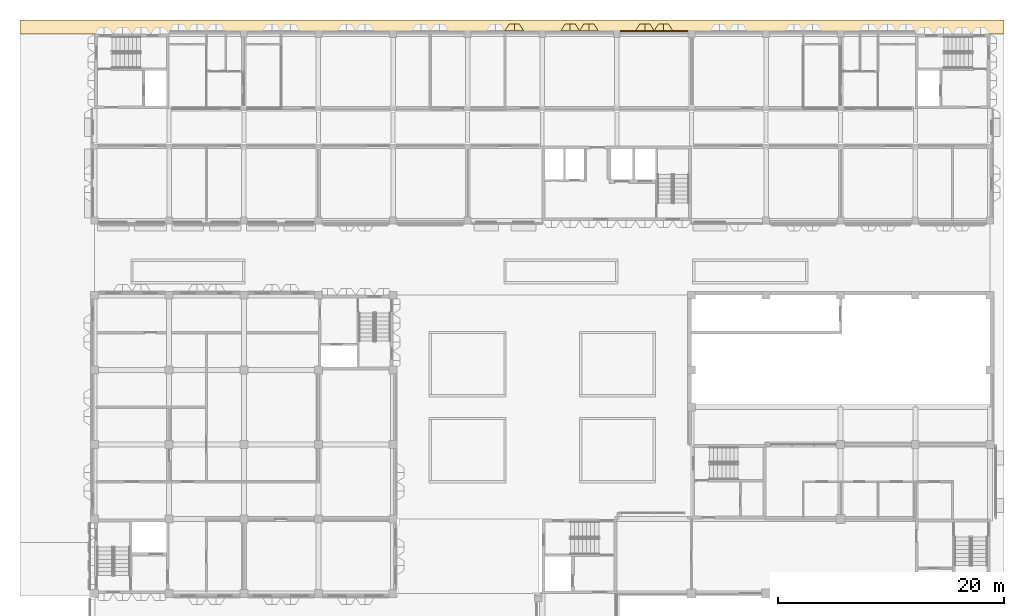
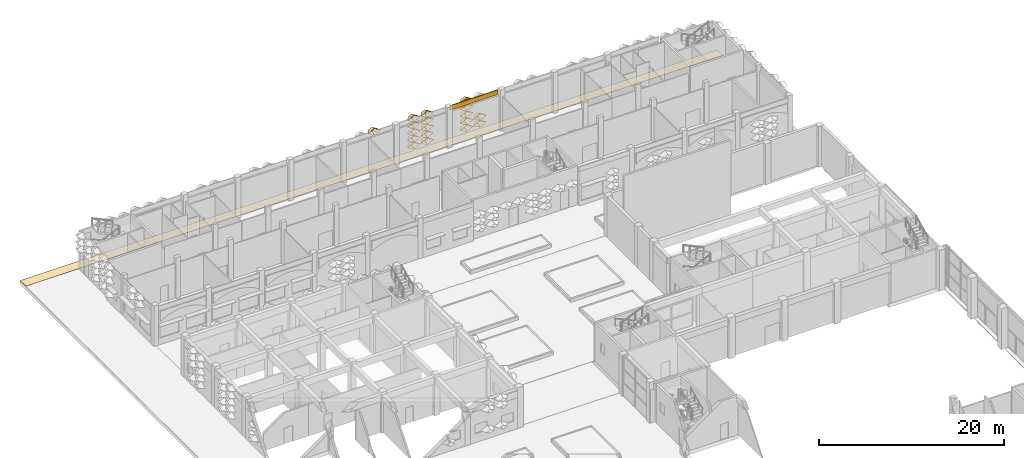
# One storey, part 78 of 85: 20 coverings.
"""IFC4 building model written with IfcOpenShell, lengths in metres."""

import ifcopenshell
import ifcopenshell.guid

model = None  # the IFC model being written
_history = None  # IfcOwnerHistory: only IFC2X3 demands one
_inside = {}  # id of a spatial element -> (the spatial element, [elements in it])
_under = {}  # id of a project, library or spatial element -> (it, [spatial elements below it])
_declared = {}  # id of a project -> (the project, [libraries it declares])
_typed = {}  # id of a type object -> (the type object, [elements of that type])
_made_of = {}  # id of a material, layer set ... -> (it, [elements and type objects made of it])


def new_model(schema):
    """Start an empty IFC model of exactly this schema.

    Asked for "IFC4X3", IfcOpenShell would pick the latest addendum, in which some entities
    have other attributes; the version numbers below select the first issue.
    IFC2X3 requires an IfcOwnerHistory on every rooted entity: one is made here for all.
    """
    global model, _history
    if schema == "IFC4X3":
        model = ifcopenshell.file(schema_version=(4, 3, 0, 0))
    else:
        model = ifcopenshell.file(schema=schema)
    _inside.clear()
    _under.clear()
    _declared.clear()
    _typed.clear()
    _made_of.clear()
    _history = None
    if model.schema == "IFC2X3":
        org = make("IfcOrganization", Name="unknown")
        user = make(
            "IfcPersonAndOrganization",
            ThePerson=make("IfcPerson", FamilyName="unknown"),
            TheOrganization=org,
        )
        app = make(
            "IfcApplication",
            ApplicationDeveloper=org,
            Version="unknown",
            ApplicationFullName="unknown",
            ApplicationIdentifier="unknown",
        )
        _history = make(
            "IfcOwnerHistory",
            OwningUser=user,
            OwningApplication=app,
            ChangeAction="ADDED",
            CreationDate=0,
        )
    return model


def make(cls, **values):
    """One entity of the class cls with the attributes given. An attribute that is None is left unset."""
    return model.create_entity(
        cls, **{name: value for name, value in values.items() if value is not None}
    )


def entity(cls, *values):
    """Any entity or typed value of the class cls, its attributes in the order of the schema. None: left unset."""
    e = model.create_entity(cls)
    for i, value in enumerate(values):
        if value is not None:
            e[i] = value
    return e


def rooted(cls, **values):
    """An entity with a GlobalId (a new one), such as an element, a storey or a relation."""
    return make(cls, GlobalId=ifcopenshell.guid.new(), OwnerHistory=_history, **values)


def si_unit(unit_type, name, prefix=None):
    """IfcSIUnit, for example si_unit("LENGTHUNIT", "METRE", prefix="MILLI")."""
    return make("IfcSIUnit", UnitType=unit_type, Prefix=prefix, Name=name)


def assignment(units):
    """IfcUnitAssignment: the units of a project."""
    return None if units is None else make("IfcUnitAssignment", Units=units)


def point(xyz):
    """IfcCartesianPoint."""
    return None if xyz is None else make("IfcCartesianPoint", Coordinates=xyz)


def direction(xyz):
    """IfcDirection."""
    return None if xyz is None else make("IfcDirection", DirectionRatios=xyz)


def frame(location, z_axis=None, x_axis=None):
    """IfcAxis2Placement3D, a coordinate frame: its origin and axes. An axis left out is left unset."""
    return make(
        "IfcAxis2Placement3D",
        Location=point(location),
        Axis=direction(z_axis),
        RefDirection=direction(x_axis),
    )


def frame_2d(location, x_axis=None):
    """IfcAxis2Placement2D, a coordinate frame in the plane: its origin and x axis."""
    return make(
        "IfcAxis2Placement2D", Location=point(location), RefDirection=direction(x_axis)
    )


def origin():
    """The frame at (0, 0, 0) with its axes left unset."""
    return frame((0.0, 0.0, 0.0))


def place(relative_to, where):
    """IfcLocalPlacement: puts the frame where relative to a parent placement (None: the world)."""
    return make(
        "IfcLocalPlacement", PlacementRelTo=relative_to, RelativePlacement=where
    )


def context(
    kind, dimensions, precision=None, world=None, true_north=None, identifier=None
):
    """IfcGeometricRepresentationContext, for example the 3D "Model" context."""
    return make(
        "IfcGeometricRepresentationContext",
        ContextIdentifier=identifier,
        ContextType=kind,
        CoordinateSpaceDimension=dimensions,
        Precision=precision,
        WorldCoordinateSystem=world,
        TrueNorth=true_north,
    )


def subcontext(parent, identifier, kind, view, scale=None):
    """IfcGeometricRepresentationSubContext, for example "Body" below "Model"."""
    return make(
        "IfcGeometricRepresentationSubContext",
        ContextIdentifier=identifier,
        ContextType=kind,
        ParentContext=parent,
        TargetScale=scale,
        TargetView=view,
    )


def project(units=None, contexts=None):
    """IfcProject with its units and contexts."""
    return rooted(
        "IfcProject",
        Name="project",
        RepresentationContexts=contexts,
        UnitsInContext=assignment(units),
    )


def spatial(cls, under=None, at=None, **own):
    """A site, building, storey or space (cls), placed at a placement, below another one or the project."""
    s = rooted(cls, ObjectPlacement=at, **own)
    if under is not None:
        _under.setdefault(under.id(), (under, []))[1].append(s)
    return s


def polyline(points):
    """IfcPolyline through the points."""
    return make("IfcPolyline", Points=[point(p) for p in points])


def profile(cls, at=None, kind="AREA", **sizes):
    """A parametric profile (cls). Its sizes go by their IFC names, for example OverallWidth=200.0."""
    return make(cls, ProfileType=kind, Position=at, **sizes)


def rectangle(**sizes):
    """IfcRectangleProfileDef."""
    return profile("IfcRectangleProfileDef", **sizes)


def outline(outer, holes=None, kind="AREA"):
    """IfcArbitraryClosedProfileDef: a profile drawn as a closed curve; with holes, ...WithVoids."""
    if holes is None:
        return make("IfcArbitraryClosedProfileDef", ProfileType=kind, OuterCurve=outer)
    return make(
        "IfcArbitraryProfileDefWithVoids",
        ProfileType=kind,
        OuterCurve=outer,
        InnerCurves=holes,
    )


def extrude(swept, where, along, depth):
    """IfcExtrudedAreaSolid: the profile swept, set in the frame where, extruded along a direction by depth."""
    return make(
        "IfcExtrudedAreaSolid",
        SweptArea=swept,
        Position=where,
        ExtrudedDirection=direction(along),
        Depth=depth,
    )


def shape(context_of_items, identifier, shape_type, items):
    """IfcShapeRepresentation: the items that make up one representation, for example the "Body"."""
    return make(
        "IfcShapeRepresentation",
        ContextOfItems=context_of_items,
        RepresentationIdentifier=identifier,
        RepresentationType=shape_type,
        Items=items,
    )


def material(Name=None, Category=None):
    """IfcMaterial."""
    return make("IfcMaterial", Name=Name, Category=Category)


def layer(
    of_material, thickness, ventilated=None, Name=None, Category=None, Priority=None
):
    """IfcMaterialLayer: one layer of a wall or slab, of a material (None: an air gap)."""
    return make(
        "IfcMaterialLayer",
        Material=of_material,
        LayerThickness=thickness,
        IsVentilated=ventilated,
        Name=Name,
        Category=Category,
        Priority=Priority,
    )


def layer_set(layers, Name=None):
    """IfcMaterialLayerSet."""
    return make("IfcMaterialLayerSet", MaterialLayers=layers, LayerSetName=Name)


def made_of(thing, what):
    """Note that an element or type object is made of a material, layer set ...; save() writes the relation."""
    if what is not None:
        _made_of.setdefault(what.id(), (what, []))[1].append(thing)
    return thing


def type_object(cls, material=None, **own):
    """A type object (cls), such as IfcWallType, which elements share."""
    return made_of(rooted(cls, **own), material)


def element(
    cls,
    number,
    at=None,
    inside=None,
    cuts=None,
    type_object=None,
    material=None,
    context=None,
    identifier="Body",
    shape_type=None,
    held_by="IfcProductDefinitionShape",
    body=None,
    shapes=None,
    **own,
):
    """One element of the class cls, such as IfcWall. Its Tag is "e" and its number.

    at: its placement. inside: the storey or other place that contains it. cuts: it is an
    opening in that element (IfcRelVoidsElement). A single representation is given by context,
    identifier, shape_type and body (its items); several are given by shapes. held_by: the class
    of the entity that holds the representations. save() writes the other relations.
    """
    e = rooted(cls, Tag="e%d" % number, ObjectPlacement=at, **own)
    if body is not None:
        shapes = [shape(context, identifier, shape_type, body)]
    if shapes is not None:
        e.Representation = make(held_by, Representations=shapes)
    if inside is not None:
        _inside.setdefault(inside.id(), (inside, []))[1].append(e)
    if cuts is not None:
        rooted(
            "IfcRelVoidsElement", RelatingBuildingElement=cuts, RelatedOpeningElement=e
        )
    if type_object is not None:
        _typed.setdefault(type_object.id(), (type_object, []))[1].append(e)
    return made_of(e, material)


def aggregate(whole, parts):
    """IfcRelAggregates: a whole, such as a stair, and the parts it consists of."""
    return rooted("IfcRelAggregates", RelatingObject=whole, RelatedObjects=parts)


def save(model, path):
    """Write the relations noted so far, then the file.

    IfcRelAggregates (storeys below a building ...), IfcRelContainedInSpatialStructure (elements
    in a storey), IfcRelDefinesByType, IfcRelAssociatesMaterial and IfcRelDeclares: one each for
    every whole, place, type object, material and project.
    """
    for whole, parts in _under.values():
        aggregate(whole, parts)
    for where, things in _inside.values():
        rooted(
            "IfcRelContainedInSpatialStructure",
            RelatedElements=things,
            RelatingStructure=where,
        )
    for kind, things in _typed.values():
        rooted("IfcRelDefinesByType", RelatedObjects=things, RelatingType=kind)
    for what, things in _made_of.values():
        rooted("IfcRelAssociatesMaterial", RelatedObjects=things, RelatingMaterial=what)
    for by, libraries in _declared.values():
        rooted("IfcRelDeclares", RelatingContext=by, RelatedDefinitions=libraries)
    model.write(path)


model = new_model("IFC4")

# Units and contexts
model_context = context("Model", 3, precision=1e-05, world=origin(), true_north=direction((0.0, 1.0)))
body_context = subcontext(model_context, "Body", "Model", "MODEL_VIEW")
ifc_project = project(units=[si_unit("LENGTHUNIT", "METRE"), si_unit("AREAUNIT", "SQUARE_METRE"), si_unit("VOLUMEUNIT", "CUBIC_METRE"), si_unit("PLANEANGLEUNIT", "RADIAN"), si_unit("MASSUNIT", "GRAM", prefix="KILO")], contexts=[model_context])

# Site, building, storey
site_placement = place(None, origin())
site = spatial("IfcSite", under=ifc_project, at=site_placement, CompositionType="ELEMENT")
building_placement = place(site_placement, origin())
building = spatial("IfcBuilding", under=site, at=building_placement, Name="Lantern Court Research Institute", CompositionType="ELEMENT")
storey_placement = place(building_placement, origin())
storey = spatial("IfcBuildingStorey", under=building, at=storey_placement, Name="L00", CompositionType="ELEMENT", Elevation=0.0)

# Coverings
ifc_material_1 = material(Name="Aluminium composite panel with mineral wool insulation", Category="aluminium")
ifc_layer_1 = layer(ifc_material_1, 0.10009765625)
ifc_layer_set_1 = layer_set([ifc_layer_1], Name="Aluminium composite panel with mineral wool insulation")
covering_type_1 = type_object("IfcCoveringType", Name="Edge fascia panel 100 aluminium faced", PredefinedType="CLADDING", material=ifc_layer_set_1)
covering_1_placement = place(storey_placement, frame((46.5, 99.25, 4.550048828125), z_axis=(0.0, 0.0, 1.0), x_axis=(1.0, 0.0, 0.0)))
element("IfcCovering", 1, at=covering_1_placement, inside=storey, type_object=covering_type_1, Name="Edge fascia V6N L00 07", PredefinedType="CLADDING", context=body_context, shape_type="SweptSolid", body=[
    extrude(rectangle(XDim=6.0, YDim=0.10009765625, at=frame_2d((3.0, 0.0))), origin(), (0.0, 0.0, 1.0), 0.599853515625),
])
ifc_material_2 = material(Name="Anodised aluminium", Category="aluminium")
ifc_layer_2 = layer(ifc_material_2, 0.01611328125)
ifc_layer_set_2 = layer_set([ifc_layer_2], Name="Anodised aluminium")
covering_type_2 = type_object("IfcCoveringType", Name="Fin cassette 1650 x 900 x 600 aluminium", PredefinedType="CLADDING", material=ifc_layer_set_2)
covering_2_placement = place(storey_placement, frame((42.074951171875, 99.300048828125, 1.35009765625), z_axis=(0.0, 1.0, 0.0), x_axis=(-1.0, 0.0, 0.0)))
cartesian_point_1 = entity("IfcCartesianPoint", [0.824951171875, 0.0])
cartesian_point_2 = entity("IfcCartesianPoint", [0.79150390625, 0.0])
cartesian_point_3 = entity("IfcCartesianPoint", [0.44189453125, 0.0])
cartesian_point_4 = entity("IfcCartesianPoint", [0.43359375, 0.0])
element("IfcCovering", 2, at=covering_2_placement, inside=storey, type_object=covering_type_2, Name="Fin cassette V6N-L00 2.26", PredefinedType="CLADDING", context=body_context, shape_type="SweptSolid", body=[
    entity("IfcExtrudedAreaSolidTapered", entity("IfcArbitraryProfileDefWithVoids", "AREA", None, entity("IfcPolyline", [cartesian_point_1, entity("IfcCartesianPoint", [0.0, 0.449951171875]), entity("IfcCartesianPoint", [-0.824951171875, 0.0]), entity("IfcCartesianPoint", [0.0, -0.449951171875]), cartesian_point_1]), [entity("IfcPolyline", [cartesian_point_2, entity("IfcCartesianPoint", [0.0, 0.431884765625]), entity("IfcCartesianPoint", [-0.79150390625, 0.0]), entity("IfcCartesianPoint", [0.0, -0.431884765625]), cartesian_point_2])]), entity("IfcAxis2Placement3D", entity("IfcCartesianPoint", [0.0, 0.0, 0.0])), entity("IfcDirection", [0.0, 0.0, 1.0]), 0.60009765625, entity("IfcArbitraryProfileDefWithVoids", "AREA", None, entity("IfcPolyline", [cartesian_point_3, entity("IfcCartesianPoint", [0.0, 0.240966796875]), entity("IfcCartesianPoint", [-0.44189453125, 0.0]), entity("IfcCartesianPoint", [0.0, -0.240966796875]), cartesian_point_3]), [entity("IfcPolyline", [cartesian_point_4, entity("IfcCartesianPoint", [0.0, 0.236572265625]), entity("IfcCartesianPoint", [-0.43359375, 0.0]), entity("IfcCartesianPoint", [0.0, -0.236572265625]), cartesian_point_4])])),
])
covering_3_placement = place(storey_placement, frame((43.72509765625, 99.300048828125, 1.35009765625), z_axis=(0.0, 1.0, 0.0), x_axis=(-1.0, 0.0, 0.0)))
cartesian_point_5 = entity("IfcCartesianPoint", [0.824951171875, 0.0])
cartesian_point_6 = entity("IfcCartesianPoint", [0.79150390625, 0.0])
cartesian_point_7 = entity("IfcCartesianPoint", [0.44189453125, 0.0])
cartesian_point_8 = entity("IfcCartesianPoint", [0.43359375, 0.0])
element("IfcCovering", 3, at=covering_3_placement, inside=storey, type_object=covering_type_2, Name="Fin cassette V6N-L00 2.27", PredefinedType="CLADDING", context=body_context, shape_type="SweptSolid", body=[
    entity("IfcExtrudedAreaSolidTapered", entity("IfcArbitraryProfileDefWithVoids", "AREA", None, entity("IfcPolyline", [cartesian_point_5, entity("IfcCartesianPoint", [0.0, 0.449951171875]), entity("IfcCartesianPoint", [-0.824951171875, 0.0]), entity("IfcCartesianPoint", [0.0, -0.449951171875]), cartesian_point_5]), [entity("IfcPolyline", [cartesian_point_6, entity("IfcCartesianPoint", [0.0, 0.431884765625]), entity("IfcCartesianPoint", [-0.79150390625, 0.0]), entity("IfcCartesianPoint", [0.0, -0.431884765625]), cartesian_point_6])]), entity("IfcAxis2Placement3D", entity("IfcCartesianPoint", [0.0, 0.0, 0.0])), entity("IfcDirection", [0.0, 0.0, 1.0]), 0.60009765625, entity("IfcArbitraryProfileDefWithVoids", "AREA", None, entity("IfcPolyline", [cartesian_point_7, entity("IfcCartesianPoint", [0.0, 0.240966796875]), entity("IfcCartesianPoint", [-0.44189453125, 0.0]), entity("IfcCartesianPoint", [0.0, -0.240966796875]), cartesian_point_7]), [entity("IfcPolyline", [cartesian_point_8, entity("IfcCartesianPoint", [0.0, 0.236572265625]), entity("IfcCartesianPoint", [-0.43359375, 0.0]), entity("IfcCartesianPoint", [0.0, -0.236572265625]), cartesian_point_8])])),
])
covering_4_placement = place(storey_placement, frame((48.675048828125, 99.300048828125, 1.35009765625), z_axis=(0.0, 1.0, 0.0), x_axis=(-1.0, 0.0, 0.0)))
cartesian_point_9 = entity("IfcCartesianPoint", [0.824951171875, 0.0])
cartesian_point_10 = entity("IfcCartesianPoint", [0.79150390625, 0.0])
cartesian_point_11 = entity("IfcCartesianPoint", [0.44189453125, 0.0])
cartesian_point_12 = entity("IfcCartesianPoint", [0.43359375, 0.0])
element("IfcCovering", 4, at=covering_4_placement, inside=storey, type_object=covering_type_2, Name="Fin cassette V6N-L00 2.30", PredefinedType="CLADDING", context=body_context, shape_type="SweptSolid", body=[
    entity("IfcExtrudedAreaSolidTapered", entity("IfcArbitraryProfileDefWithVoids", "AREA", None, entity("IfcPolyline", [cartesian_point_9, entity("IfcCartesianPoint", [0.0, 0.449951171875]), entity("IfcCartesianPoint", [-0.824951171875, 0.0]), entity("IfcCartesianPoint", [0.0, -0.449951171875]), cartesian_point_9]), [entity("IfcPolyline", [cartesian_point_10, entity("IfcCartesianPoint", [0.0, 0.431884765625]), entity("IfcCartesianPoint", [-0.79150390625, 0.0]), entity("IfcCartesianPoint", [0.0, -0.431884765625]), cartesian_point_10])]), entity("IfcAxis2Placement3D", entity("IfcCartesianPoint", [0.0, 0.0, 0.0])), entity("IfcDirection", [0.0, 0.0, 1.0]), 0.60009765625, entity("IfcArbitraryProfileDefWithVoids", "AREA", None, entity("IfcPolyline", [cartesian_point_11, entity("IfcCartesianPoint", [0.0, 0.240966796875]), entity("IfcCartesianPoint", [-0.44189453125, 0.0]), entity("IfcCartesianPoint", [0.0, -0.240966796875]), cartesian_point_11]), [entity("IfcPolyline", [cartesian_point_12, entity("IfcCartesianPoint", [0.0, 0.236572265625]), entity("IfcCartesianPoint", [-0.43359375, 0.0]), entity("IfcCartesianPoint", [0.0, -0.236572265625]), cartesian_point_12])])),
])
covering_5_placement = place(storey_placement, frame((50.324951171875, 99.300048828125, 1.35009765625), z_axis=(0.0, 1.0, 0.0), x_axis=(-1.0, 0.0, 0.0)))
cartesian_point_13 = entity("IfcCartesianPoint", [0.824951171875, 0.0])
cartesian_point_14 = entity("IfcCartesianPoint", [0.79150390625, 0.0])
cartesian_point_15 = entity("IfcCartesianPoint", [0.44189453125, 0.0])
cartesian_point_16 = entity("IfcCartesianPoint", [0.43359375, 0.0])
element("IfcCovering", 5, at=covering_5_placement, inside=storey, type_object=covering_type_2, Name="Fin cassette V6N-L00 2.31", PredefinedType="CLADDING", context=body_context, shape_type="SweptSolid", body=[
    entity("IfcExtrudedAreaSolidTapered", entity("IfcArbitraryProfileDefWithVoids", "AREA", None, entity("IfcPolyline", [cartesian_point_13, entity("IfcCartesianPoint", [0.0, 0.449951171875]), entity("IfcCartesianPoint", [-0.824951171875, 0.0]), entity("IfcCartesianPoint", [0.0, -0.449951171875]), cartesian_point_13]), [entity("IfcPolyline", [cartesian_point_14, entity("IfcCartesianPoint", [0.0, 0.431884765625]), entity("IfcCartesianPoint", [-0.79150390625, 0.0]), entity("IfcCartesianPoint", [0.0, -0.431884765625]), cartesian_point_14])]), entity("IfcAxis2Placement3D", entity("IfcCartesianPoint", [0.0, 0.0, 0.0])), entity("IfcDirection", [0.0, 0.0, 1.0]), 0.60009765625, entity("IfcArbitraryProfileDefWithVoids", "AREA", None, entity("IfcPolyline", [cartesian_point_15, entity("IfcCartesianPoint", [0.0, 0.240966796875]), entity("IfcCartesianPoint", [-0.44189453125, 0.0]), entity("IfcCartesianPoint", [0.0, -0.240966796875]), cartesian_point_15]), [entity("IfcPolyline", [cartesian_point_16, entity("IfcCartesianPoint", [0.0, 0.236572265625]), entity("IfcCartesianPoint", [-0.43359375, 0.0]), entity("IfcCartesianPoint", [0.0, -0.236572265625]), cartesian_point_16])])),
])
covering_6_placement = place(storey_placement, frame((42.074951171875, 99.300048828125, 2.25), z_axis=(0.0, 1.0, 0.0), x_axis=(-1.0, 0.0, 0.0)))
cartesian_point_17 = entity("IfcCartesianPoint", [0.824951171875, 0.0])
cartesian_point_18 = entity("IfcCartesianPoint", [0.79150390625, 0.0])
cartesian_point_19 = entity("IfcCartesianPoint", [0.44189453125, 0.0])
cartesian_point_20 = entity("IfcCartesianPoint", [0.43359375, 0.0])
element("IfcCovering", 6, at=covering_6_placement, inside=storey, type_object=covering_type_2, Name="Fin cassette V6N-L00 3.26", PredefinedType="CLADDING", context=body_context, shape_type="SweptSolid", body=[
    entity("IfcExtrudedAreaSolidTapered", entity("IfcArbitraryProfileDefWithVoids", "AREA", None, entity("IfcPolyline", [cartesian_point_17, entity("IfcCartesianPoint", [0.0, 0.449951171875]), entity("IfcCartesianPoint", [-0.824951171875, 0.0]), entity("IfcCartesianPoint", [0.0, -0.449951171875]), cartesian_point_17]), [entity("IfcPolyline", [cartesian_point_18, entity("IfcCartesianPoint", [0.0, 0.431884765625]), entity("IfcCartesianPoint", [-0.79150390625, 0.0]), entity("IfcCartesianPoint", [0.0, -0.431884765625]), cartesian_point_18])]), entity("IfcAxis2Placement3D", entity("IfcCartesianPoint", [0.0, 0.0, 0.0])), entity("IfcDirection", [0.0, 0.0, 1.0]), 0.60009765625, entity("IfcArbitraryProfileDefWithVoids", "AREA", None, entity("IfcPolyline", [cartesian_point_19, entity("IfcCartesianPoint", [0.0, 0.240966796875]), entity("IfcCartesianPoint", [-0.44189453125, 0.0]), entity("IfcCartesianPoint", [0.0, -0.240966796875]), cartesian_point_19]), [entity("IfcPolyline", [cartesian_point_20, entity("IfcCartesianPoint", [0.0, 0.236572265625]), entity("IfcCartesianPoint", [-0.43359375, 0.0]), entity("IfcCartesianPoint", [0.0, -0.236572265625]), cartesian_point_20])])),
])
covering_7_placement = place(storey_placement, frame((43.72509765625, 99.300048828125, 2.25), z_axis=(0.0, 1.0, 0.0), x_axis=(-1.0, 0.0, 0.0)))
cartesian_point_21 = entity("IfcCartesianPoint", [0.824951171875, 0.0])
cartesian_point_22 = entity("IfcCartesianPoint", [0.79150390625, 0.0])
cartesian_point_23 = entity("IfcCartesianPoint", [0.44189453125, 0.0])
cartesian_point_24 = entity("IfcCartesianPoint", [0.43359375, 0.0])
element("IfcCovering", 7, at=covering_7_placement, inside=storey, type_object=covering_type_2, Name="Fin cassette V6N-L00 3.27", PredefinedType="CLADDING", context=body_context, shape_type="SweptSolid", body=[
    entity("IfcExtrudedAreaSolidTapered", entity("IfcArbitraryProfileDefWithVoids", "AREA", None, entity("IfcPolyline", [cartesian_point_21, entity("IfcCartesianPoint", [0.0, 0.449951171875]), entity("IfcCartesianPoint", [-0.824951171875, 0.0]), entity("IfcCartesianPoint", [0.0, -0.449951171875]), cartesian_point_21]), [entity("IfcPolyline", [cartesian_point_22, entity("IfcCartesianPoint", [0.0, 0.431884765625]), entity("IfcCartesianPoint", [-0.79150390625, 0.0]), entity("IfcCartesianPoint", [0.0, -0.431884765625]), cartesian_point_22])]), entity("IfcAxis2Placement3D", entity("IfcCartesianPoint", [0.0, 0.0, 0.0])), entity("IfcDirection", [0.0, 0.0, 1.0]), 0.60009765625, entity("IfcArbitraryProfileDefWithVoids", "AREA", None, entity("IfcPolyline", [cartesian_point_23, entity("IfcCartesianPoint", [0.0, 0.240966796875]), entity("IfcCartesianPoint", [-0.44189453125, 0.0]), entity("IfcCartesianPoint", [0.0, -0.240966796875]), cartesian_point_23]), [entity("IfcPolyline", [cartesian_point_24, entity("IfcCartesianPoint", [0.0, 0.236572265625]), entity("IfcCartesianPoint", [-0.43359375, 0.0]), entity("IfcCartesianPoint", [0.0, -0.236572265625]), cartesian_point_24])])),
])
covering_8_placement = place(storey_placement, frame((48.675048828125, 99.300048828125, 2.25), z_axis=(0.0, 1.0, 0.0), x_axis=(-1.0, 0.0, 0.0)))
cartesian_point_25 = entity("IfcCartesianPoint", [0.824951171875, 0.0])
cartesian_point_26 = entity("IfcCartesianPoint", [0.79150390625, 0.0])
cartesian_point_27 = entity("IfcCartesianPoint", [0.44189453125, 0.0])
cartesian_point_28 = entity("IfcCartesianPoint", [0.43359375, 0.0])
element("IfcCovering", 8, at=covering_8_placement, inside=storey, type_object=covering_type_2, Name="Fin cassette V6N-L00 3.30", PredefinedType="CLADDING", context=body_context, shape_type="SweptSolid", body=[
    entity("IfcExtrudedAreaSolidTapered", entity("IfcArbitraryProfileDefWithVoids", "AREA", None, entity("IfcPolyline", [cartesian_point_25, entity("IfcCartesianPoint", [0.0, 0.449951171875]), entity("IfcCartesianPoint", [-0.824951171875, 0.0]), entity("IfcCartesianPoint", [0.0, -0.449951171875]), cartesian_point_25]), [entity("IfcPolyline", [cartesian_point_26, entity("IfcCartesianPoint", [0.0, 0.431884765625]), entity("IfcCartesianPoint", [-0.79150390625, 0.0]), entity("IfcCartesianPoint", [0.0, -0.431884765625]), cartesian_point_26])]), entity("IfcAxis2Placement3D", entity("IfcCartesianPoint", [0.0, 0.0, 0.0])), entity("IfcDirection", [0.0, 0.0, 1.0]), 0.60009765625, entity("IfcArbitraryProfileDefWithVoids", "AREA", None, entity("IfcPolyline", [cartesian_point_27, entity("IfcCartesianPoint", [0.0, 0.240966796875]), entity("IfcCartesianPoint", [-0.44189453125, 0.0]), entity("IfcCartesianPoint", [0.0, -0.240966796875]), cartesian_point_27]), [entity("IfcPolyline", [cartesian_point_28, entity("IfcCartesianPoint", [0.0, 0.236572265625]), entity("IfcCartesianPoint", [-0.43359375, 0.0]), entity("IfcCartesianPoint", [0.0, -0.236572265625]), cartesian_point_28])])),
])
covering_9_placement = place(storey_placement, frame((50.324951171875, 99.300048828125, 2.25), z_axis=(0.0, 1.0, 0.0), x_axis=(-1.0, 0.0, 0.0)))
cartesian_point_29 = entity("IfcCartesianPoint", [0.824951171875, 0.0])
cartesian_point_30 = entity("IfcCartesianPoint", [0.79150390625, 0.0])
cartesian_point_31 = entity("IfcCartesianPoint", [0.44189453125, 0.0])
cartesian_point_32 = entity("IfcCartesianPoint", [0.43359375, 0.0])
element("IfcCovering", 9, at=covering_9_placement, inside=storey, type_object=covering_type_2, Name="Fin cassette V6N-L00 3.31", PredefinedType="CLADDING", context=body_context, shape_type="SweptSolid", body=[
    entity("IfcExtrudedAreaSolidTapered", entity("IfcArbitraryProfileDefWithVoids", "AREA", None, entity("IfcPolyline", [cartesian_point_29, entity("IfcCartesianPoint", [0.0, 0.449951171875]), entity("IfcCartesianPoint", [-0.824951171875, 0.0]), entity("IfcCartesianPoint", [0.0, -0.449951171875]), cartesian_point_29]), [entity("IfcPolyline", [cartesian_point_30, entity("IfcCartesianPoint", [0.0, 0.431884765625]), entity("IfcCartesianPoint", [-0.79150390625, 0.0]), entity("IfcCartesianPoint", [0.0, -0.431884765625]), cartesian_point_30])]), entity("IfcAxis2Placement3D", entity("IfcCartesianPoint", [0.0, 0.0, 0.0])), entity("IfcDirection", [0.0, 0.0, 1.0]), 0.60009765625, entity("IfcArbitraryProfileDefWithVoids", "AREA", None, entity("IfcPolyline", [cartesian_point_31, entity("IfcCartesianPoint", [0.0, 0.240966796875]), entity("IfcCartesianPoint", [-0.44189453125, 0.0]), entity("IfcCartesianPoint", [0.0, -0.240966796875]), cartesian_point_31]), [entity("IfcPolyline", [cartesian_point_32, entity("IfcCartesianPoint", [0.0, 0.236572265625]), entity("IfcCartesianPoint", [-0.43359375, 0.0]), entity("IfcCartesianPoint", [0.0, -0.236572265625]), cartesian_point_32])])),
])
covering_10_placement = place(storey_placement, frame((42.074951171875, 99.300048828125, 3.14990234375), z_axis=(0.0, 1.0, 0.0), x_axis=(-1.0, 0.0, 0.0)))
cartesian_point_33 = entity("IfcCartesianPoint", [0.824951171875, 0.0])
cartesian_point_34 = entity("IfcCartesianPoint", [0.79150390625, 0.0])
cartesian_point_35 = entity("IfcCartesianPoint", [0.44189453125, 0.0])
cartesian_point_36 = entity("IfcCartesianPoint", [0.43359375, 0.0])
element("IfcCovering", 10, at=covering_10_placement, inside=storey, type_object=covering_type_2, Name="Fin cassette V6N-L00 4.26", PredefinedType="CLADDING", context=body_context, shape_type="SweptSolid", body=[
    entity("IfcExtrudedAreaSolidTapered", entity("IfcArbitraryProfileDefWithVoids", "AREA", None, entity("IfcPolyline", [cartesian_point_33, entity("IfcCartesianPoint", [0.0, 0.449951171875]), entity("IfcCartesianPoint", [-0.824951171875, 0.0]), entity("IfcCartesianPoint", [0.0, -0.449951171875]), cartesian_point_33]), [entity("IfcPolyline", [cartesian_point_34, entity("IfcCartesianPoint", [0.0, 0.431884765625]), entity("IfcCartesianPoint", [-0.79150390625, 0.0]), entity("IfcCartesianPoint", [0.0, -0.431884765625]), cartesian_point_34])]), entity("IfcAxis2Placement3D", entity("IfcCartesianPoint", [0.0, 0.0, 0.0])), entity("IfcDirection", [0.0, 0.0, 1.0]), 0.60009765625, entity("IfcArbitraryProfileDefWithVoids", "AREA", None, entity("IfcPolyline", [cartesian_point_35, entity("IfcCartesianPoint", [0.0, 0.240966796875]), entity("IfcCartesianPoint", [-0.44189453125, 0.0]), entity("IfcCartesianPoint", [0.0, -0.240966796875]), cartesian_point_35]), [entity("IfcPolyline", [cartesian_point_36, entity("IfcCartesianPoint", [0.0, 0.236572265625]), entity("IfcCartesianPoint", [-0.43359375, 0.0]), entity("IfcCartesianPoint", [0.0, -0.236572265625]), cartesian_point_36])])),
])
covering_11_placement = place(storey_placement, frame((43.72509765625, 99.300048828125, 3.14990234375), z_axis=(0.0, 1.0, 0.0), x_axis=(-1.0, 0.0, 0.0)))
cartesian_point_37 = entity("IfcCartesianPoint", [0.824951171875, 0.0])
cartesian_point_38 = entity("IfcCartesianPoint", [0.79150390625, 0.0])
cartesian_point_39 = entity("IfcCartesianPoint", [0.44189453125, 0.0])
cartesian_point_40 = entity("IfcCartesianPoint", [0.43359375, 0.0])
element("IfcCovering", 11, at=covering_11_placement, inside=storey, type_object=covering_type_2, Name="Fin cassette V6N-L00 4.27", PredefinedType="CLADDING", context=body_context, shape_type="SweptSolid", body=[
    entity("IfcExtrudedAreaSolidTapered", entity("IfcArbitraryProfileDefWithVoids", "AREA", None, entity("IfcPolyline", [cartesian_point_37, entity("IfcCartesianPoint", [0.0, 0.449951171875]), entity("IfcCartesianPoint", [-0.824951171875, 0.0]), entity("IfcCartesianPoint", [0.0, -0.449951171875]), cartesian_point_37]), [entity("IfcPolyline", [cartesian_point_38, entity("IfcCartesianPoint", [0.0, 0.431884765625]), entity("IfcCartesianPoint", [-0.79150390625, 0.0]), entity("IfcCartesianPoint", [0.0, -0.431884765625]), cartesian_point_38])]), entity("IfcAxis2Placement3D", entity("IfcCartesianPoint", [0.0, 0.0, 0.0])), entity("IfcDirection", [0.0, 0.0, 1.0]), 0.60009765625, entity("IfcArbitraryProfileDefWithVoids", "AREA", None, entity("IfcPolyline", [cartesian_point_39, entity("IfcCartesianPoint", [0.0, 0.240966796875]), entity("IfcCartesianPoint", [-0.44189453125, 0.0]), entity("IfcCartesianPoint", [0.0, -0.240966796875]), cartesian_point_39]), [entity("IfcPolyline", [cartesian_point_40, entity("IfcCartesianPoint", [0.0, 0.236572265625]), entity("IfcCartesianPoint", [-0.43359375, 0.0]), entity("IfcCartesianPoint", [0.0, -0.236572265625]), cartesian_point_40])])),
])
covering_12_placement = place(storey_placement, frame((48.675048828125, 99.300048828125, 3.14990234375), z_axis=(0.0, 1.0, 0.0), x_axis=(-1.0, 0.0, 0.0)))
cartesian_point_41 = entity("IfcCartesianPoint", [0.824951171875, 0.0])
cartesian_point_42 = entity("IfcCartesianPoint", [0.79150390625, 0.0])
cartesian_point_43 = entity("IfcCartesianPoint", [0.44189453125, 0.0])
cartesian_point_44 = entity("IfcCartesianPoint", [0.43359375, 0.0])
element("IfcCovering", 12, at=covering_12_placement, inside=storey, type_object=covering_type_2, Name="Fin cassette V6N-L00 4.30", PredefinedType="CLADDING", context=body_context, shape_type="SweptSolid", body=[
    entity("IfcExtrudedAreaSolidTapered", entity("IfcArbitraryProfileDefWithVoids", "AREA", None, entity("IfcPolyline", [cartesian_point_41, entity("IfcCartesianPoint", [0.0, 0.449951171875]), entity("IfcCartesianPoint", [-0.824951171875, 0.0]), entity("IfcCartesianPoint", [0.0, -0.449951171875]), cartesian_point_41]), [entity("IfcPolyline", [cartesian_point_42, entity("IfcCartesianPoint", [0.0, 0.431884765625]), entity("IfcCartesianPoint", [-0.79150390625, 0.0]), entity("IfcCartesianPoint", [0.0, -0.431884765625]), cartesian_point_42])]), entity("IfcAxis2Placement3D", entity("IfcCartesianPoint", [0.0, 0.0, 0.0])), entity("IfcDirection", [0.0, 0.0, 1.0]), 0.60009765625, entity("IfcArbitraryProfileDefWithVoids", "AREA", None, entity("IfcPolyline", [cartesian_point_43, entity("IfcCartesianPoint", [0.0, 0.240966796875]), entity("IfcCartesianPoint", [-0.44189453125, 0.0]), entity("IfcCartesianPoint", [0.0, -0.240966796875]), cartesian_point_43]), [entity("IfcPolyline", [cartesian_point_44, entity("IfcCartesianPoint", [0.0, 0.236572265625]), entity("IfcCartesianPoint", [-0.43359375, 0.0]), entity("IfcCartesianPoint", [0.0, -0.236572265625]), cartesian_point_44])])),
])
covering_13_placement = place(storey_placement, frame((42.074951171875, 99.300048828125, 4.050048828125), z_axis=(0.0, 1.0, 0.0), x_axis=(-1.0, 0.0, 0.0)))
cartesian_point_45 = entity("IfcCartesianPoint", [0.824951171875, 0.0])
cartesian_point_46 = entity("IfcCartesianPoint", [0.79150390625, 0.0])
cartesian_point_47 = entity("IfcCartesianPoint", [0.44189453125, 0.0])
cartesian_point_48 = entity("IfcCartesianPoint", [0.43359375, 0.0])
element("IfcCovering", 13, at=covering_13_placement, inside=storey, type_object=covering_type_2, Name="Fin cassette V6N-L00 5.26", PredefinedType="CLADDING", context=body_context, shape_type="SweptSolid", body=[
    entity("IfcExtrudedAreaSolidTapered", entity("IfcArbitraryProfileDefWithVoids", "AREA", None, entity("IfcPolyline", [cartesian_point_45, entity("IfcCartesianPoint", [0.0, 0.449951171875]), entity("IfcCartesianPoint", [-0.824951171875, 0.0]), entity("IfcCartesianPoint", [0.0, -0.449951171875]), cartesian_point_45]), [entity("IfcPolyline", [cartesian_point_46, entity("IfcCartesianPoint", [0.0, 0.431884765625]), entity("IfcCartesianPoint", [-0.79150390625, 0.0]), entity("IfcCartesianPoint", [0.0, -0.431884765625]), cartesian_point_46])]), entity("IfcAxis2Placement3D", entity("IfcCartesianPoint", [0.0, 0.0, 0.0])), entity("IfcDirection", [0.0, 0.0, 1.0]), 0.60009765625, entity("IfcArbitraryProfileDefWithVoids", "AREA", None, entity("IfcPolyline", [cartesian_point_47, entity("IfcCartesianPoint", [0.0, 0.240966796875]), entity("IfcCartesianPoint", [-0.44189453125, 0.0]), entity("IfcCartesianPoint", [0.0, -0.240966796875]), cartesian_point_47]), [entity("IfcPolyline", [cartesian_point_48, entity("IfcCartesianPoint", [0.0, 0.236572265625]), entity("IfcCartesianPoint", [-0.43359375, 0.0]), entity("IfcCartesianPoint", [0.0, -0.236572265625]), cartesian_point_48])])),
])
covering_14_placement = place(storey_placement, frame((43.72509765625, 99.300048828125, 4.050048828125), z_axis=(0.0, 1.0, 0.0), x_axis=(-1.0, 0.0, 0.0)))
cartesian_point_49 = entity("IfcCartesianPoint", [0.824951171875, 0.0])
cartesian_point_50 = entity("IfcCartesianPoint", [0.79150390625, 0.0])
cartesian_point_51 = entity("IfcCartesianPoint", [0.44189453125, 0.0])
cartesian_point_52 = entity("IfcCartesianPoint", [0.43359375, 0.0])
element("IfcCovering", 14, at=covering_14_placement, inside=storey, type_object=covering_type_2, Name="Fin cassette V6N-L00 5.27", PredefinedType="CLADDING", context=body_context, shape_type="SweptSolid", body=[
    entity("IfcExtrudedAreaSolidTapered", entity("IfcArbitraryProfileDefWithVoids", "AREA", None, entity("IfcPolyline", [cartesian_point_49, entity("IfcCartesianPoint", [0.0, 0.449951171875]), entity("IfcCartesianPoint", [-0.824951171875, 0.0]), entity("IfcCartesianPoint", [0.0, -0.449951171875]), cartesian_point_49]), [entity("IfcPolyline", [cartesian_point_50, entity("IfcCartesianPoint", [0.0, 0.431884765625]), entity("IfcCartesianPoint", [-0.79150390625, 0.0]), entity("IfcCartesianPoint", [0.0, -0.431884765625]), cartesian_point_50])]), entity("IfcAxis2Placement3D", entity("IfcCartesianPoint", [0.0, 0.0, 0.0])), entity("IfcDirection", [0.0, 0.0, 1.0]), 0.60009765625, entity("IfcArbitraryProfileDefWithVoids", "AREA", None, entity("IfcPolyline", [cartesian_point_51, entity("IfcCartesianPoint", [0.0, 0.240966796875]), entity("IfcCartesianPoint", [-0.44189453125, 0.0]), entity("IfcCartesianPoint", [0.0, -0.240966796875]), cartesian_point_51]), [entity("IfcPolyline", [cartesian_point_52, entity("IfcCartesianPoint", [0.0, 0.236572265625]), entity("IfcCartesianPoint", [-0.43359375, 0.0]), entity("IfcCartesianPoint", [0.0, -0.236572265625]), cartesian_point_52])])),
])
covering_15_placement = place(storey_placement, frame((48.675048828125, 99.300048828125, 4.050048828125), z_axis=(0.0, 1.0, 0.0), x_axis=(-1.0, 0.0, 0.0)))
cartesian_point_53 = entity("IfcCartesianPoint", [0.824951171875, 0.0])
cartesian_point_54 = entity("IfcCartesianPoint", [0.79150390625, 0.0])
cartesian_point_55 = entity("IfcCartesianPoint", [0.44189453125, 0.0])
cartesian_point_56 = entity("IfcCartesianPoint", [0.43359375, 0.0])
element("IfcCovering", 15, at=covering_15_placement, inside=storey, type_object=covering_type_2, Name="Fin cassette V6N-L00 5.30", PredefinedType="CLADDING", context=body_context, shape_type="SweptSolid", body=[
    entity("IfcExtrudedAreaSolidTapered", entity("IfcArbitraryProfileDefWithVoids", "AREA", None, entity("IfcPolyline", [cartesian_point_53, entity("IfcCartesianPoint", [0.0, 0.449951171875]), entity("IfcCartesianPoint", [-0.824951171875, 0.0]), entity("IfcCartesianPoint", [0.0, -0.449951171875]), cartesian_point_53]), [entity("IfcPolyline", [cartesian_point_54, entity("IfcCartesianPoint", [0.0, 0.431884765625]), entity("IfcCartesianPoint", [-0.79150390625, 0.0]), entity("IfcCartesianPoint", [0.0, -0.431884765625]), cartesian_point_54])]), entity("IfcAxis2Placement3D", entity("IfcCartesianPoint", [0.0, 0.0, 0.0])), entity("IfcDirection", [0.0, 0.0, 1.0]), 0.60009765625, entity("IfcArbitraryProfileDefWithVoids", "AREA", None, entity("IfcPolyline", [cartesian_point_55, entity("IfcCartesianPoint", [0.0, 0.240966796875]), entity("IfcCartesianPoint", [-0.44189453125, 0.0]), entity("IfcCartesianPoint", [0.0, -0.240966796875]), cartesian_point_55]), [entity("IfcPolyline", [cartesian_point_56, entity("IfcCartesianPoint", [0.0, 0.236572265625]), entity("IfcCartesianPoint", [-0.43359375, 0.0]), entity("IfcCartesianPoint", [0.0, -0.236572265625]), cartesian_point_56])])),
])
covering_16_placement = place(storey_placement, frame((37.125, 99.300048828125, 4.949951171875), z_axis=(0.0, 1.0, 0.0), x_axis=(-1.0, 0.0, 0.0)))
cartesian_point_57 = entity("IfcCartesianPoint", [0.824951171875, 0.0])
cartesian_point_58 = entity("IfcCartesianPoint", [0.79150390625, 0.0])
cartesian_point_59 = entity("IfcCartesianPoint", [0.44189453125, 0.0])
cartesian_point_60 = entity("IfcCartesianPoint", [0.43359375, 0.0])
element("IfcCovering", 16, at=covering_16_placement, inside=storey, type_object=covering_type_2, Name="Fin cassette V6N-L00 6.23", PredefinedType="CLADDING", context=body_context, shape_type="SweptSolid", body=[
    entity("IfcExtrudedAreaSolidTapered", entity("IfcArbitraryProfileDefWithVoids", "AREA", None, entity("IfcPolyline", [cartesian_point_57, entity("IfcCartesianPoint", [0.0, 0.449951171875]), entity("IfcCartesianPoint", [-0.824951171875, 0.0]), entity("IfcCartesianPoint", [0.0, -0.449951171875]), cartesian_point_57]), [entity("IfcPolyline", [cartesian_point_58, entity("IfcCartesianPoint", [0.0, 0.431884765625]), entity("IfcCartesianPoint", [-0.79150390625, 0.0]), entity("IfcCartesianPoint", [0.0, -0.431884765625]), cartesian_point_58])]), entity("IfcAxis2Placement3D", entity("IfcCartesianPoint", [0.0, 0.0, 0.0])), entity("IfcDirection", [0.0, 0.0, 1.0]), 0.60009765625, entity("IfcArbitraryProfileDefWithVoids", "AREA", None, entity("IfcPolyline", [cartesian_point_59, entity("IfcCartesianPoint", [0.0, 0.240966796875]), entity("IfcCartesianPoint", [-0.44189453125, 0.0]), entity("IfcCartesianPoint", [0.0, -0.240966796875]), cartesian_point_59]), [entity("IfcPolyline", [cartesian_point_60, entity("IfcCartesianPoint", [0.0, 0.236572265625]), entity("IfcCartesianPoint", [-0.43359375, 0.0]), entity("IfcCartesianPoint", [0.0, -0.236572265625]), cartesian_point_60])])),
])
covering_17_placement = place(storey_placement, frame((42.074951171875, 99.300048828125, 4.949951171875), z_axis=(0.0, 1.0, 0.0), x_axis=(-1.0, 0.0, 0.0)))
cartesian_point_61 = entity("IfcCartesianPoint", [0.824951171875, 0.0])
cartesian_point_62 = entity("IfcCartesianPoint", [0.79150390625, 0.0])
cartesian_point_63 = entity("IfcCartesianPoint", [0.44189453125, 0.0])
cartesian_point_64 = entity("IfcCartesianPoint", [0.43359375, 0.0])
element("IfcCovering", 17, at=covering_17_placement, inside=storey, type_object=covering_type_2, Name="Fin cassette V6N-L00 6.26", PredefinedType="CLADDING", context=body_context, shape_type="SweptSolid", body=[
    entity("IfcExtrudedAreaSolidTapered", entity("IfcArbitraryProfileDefWithVoids", "AREA", None, entity("IfcPolyline", [cartesian_point_61, entity("IfcCartesianPoint", [0.0, 0.449951171875]), entity("IfcCartesianPoint", [-0.824951171875, 0.0]), entity("IfcCartesianPoint", [0.0, -0.449951171875]), cartesian_point_61]), [entity("IfcPolyline", [cartesian_point_62, entity("IfcCartesianPoint", [0.0, 0.431884765625]), entity("IfcCartesianPoint", [-0.79150390625, 0.0]), entity("IfcCartesianPoint", [0.0, -0.431884765625]), cartesian_point_62])]), entity("IfcAxis2Placement3D", entity("IfcCartesianPoint", [0.0, 0.0, 0.0])), entity("IfcDirection", [0.0, 0.0, 1.0]), 0.60009765625, entity("IfcArbitraryProfileDefWithVoids", "AREA", None, entity("IfcPolyline", [cartesian_point_63, entity("IfcCartesianPoint", [0.0, 0.240966796875]), entity("IfcCartesianPoint", [-0.44189453125, 0.0]), entity("IfcCartesianPoint", [0.0, -0.240966796875]), cartesian_point_63]), [entity("IfcPolyline", [cartesian_point_64, entity("IfcCartesianPoint", [0.0, 0.236572265625]), entity("IfcCartesianPoint", [-0.43359375, 0.0]), entity("IfcCartesianPoint", [0.0, -0.236572265625]), cartesian_point_64])])),
])
covering_18_placement = place(storey_placement, frame((43.72509765625, 99.300048828125, 4.949951171875), z_axis=(0.0, 1.0, 0.0), x_axis=(-1.0, 0.0, 0.0)))
cartesian_point_65 = entity("IfcCartesianPoint", [0.824951171875, 0.0])
cartesian_point_66 = entity("IfcCartesianPoint", [0.79150390625, 0.0])
cartesian_point_67 = entity("IfcCartesianPoint", [0.44189453125, 0.0])
cartesian_point_68 = entity("IfcCartesianPoint", [0.43359375, 0.0])
element("IfcCovering", 18, at=covering_18_placement, inside=storey, type_object=covering_type_2, Name="Fin cassette V6N-L00 6.27", PredefinedType="CLADDING", context=body_context, shape_type="SweptSolid", body=[
    entity("IfcExtrudedAreaSolidTapered", entity("IfcArbitraryProfileDefWithVoids", "AREA", None, entity("IfcPolyline", [cartesian_point_65, entity("IfcCartesianPoint", [0.0, 0.449951171875]), entity("IfcCartesianPoint", [-0.824951171875, 0.0]), entity("IfcCartesianPoint", [0.0, -0.449951171875]), cartesian_point_65]), [entity("IfcPolyline", [cartesian_point_66, entity("IfcCartesianPoint", [0.0, 0.431884765625]), entity("IfcCartesianPoint", [-0.79150390625, 0.0]), entity("IfcCartesianPoint", [0.0, -0.431884765625]), cartesian_point_66])]), entity("IfcAxis2Placement3D", entity("IfcCartesianPoint", [0.0, 0.0, 0.0])), entity("IfcDirection", [0.0, 0.0, 1.0]), 0.60009765625, entity("IfcArbitraryProfileDefWithVoids", "AREA", None, entity("IfcPolyline", [cartesian_point_67, entity("IfcCartesianPoint", [0.0, 0.240966796875]), entity("IfcCartesianPoint", [-0.44189453125, 0.0]), entity("IfcCartesianPoint", [0.0, -0.240966796875]), cartesian_point_67]), [entity("IfcPolyline", [cartesian_point_68, entity("IfcCartesianPoint", [0.0, 0.236572265625]), entity("IfcCartesianPoint", [-0.43359375, 0.0]), entity("IfcCartesianPoint", [0.0, -0.236572265625]), cartesian_point_68])])),
])
covering_19_placement = place(storey_placement, frame((48.675048828125, 99.300048828125, 4.949951171875), z_axis=(0.0, 1.0, 0.0), x_axis=(-1.0, 0.0, 0.0)))
cartesian_point_69 = entity("IfcCartesianPoint", [0.824951171875, 0.0])
cartesian_point_70 = entity("IfcCartesianPoint", [0.79150390625, 0.0])
cartesian_point_71 = entity("IfcCartesianPoint", [0.44189453125, 0.0])
cartesian_point_72 = entity("IfcCartesianPoint", [0.43359375, 0.0])
element("IfcCovering", 19, at=covering_19_placement, inside=storey, type_object=covering_type_2, Name="Fin cassette V6N-L00 6.30", PredefinedType="CLADDING", context=body_context, shape_type="SweptSolid", body=[
    entity("IfcExtrudedAreaSolidTapered", entity("IfcArbitraryProfileDefWithVoids", "AREA", None, entity("IfcPolyline", [cartesian_point_69, entity("IfcCartesianPoint", [0.0, 0.449951171875]), entity("IfcCartesianPoint", [-0.824951171875, 0.0]), entity("IfcCartesianPoint", [0.0, -0.449951171875]), cartesian_point_69]), [entity("IfcPolyline", [cartesian_point_70, entity("IfcCartesianPoint", [0.0, 0.431884765625]), entity("IfcCartesianPoint", [-0.79150390625, 0.0]), entity("IfcCartesianPoint", [0.0, -0.431884765625]), cartesian_point_70])]), entity("IfcAxis2Placement3D", entity("IfcCartesianPoint", [0.0, 0.0, 0.0])), entity("IfcDirection", [0.0, 0.0, 1.0]), 0.60009765625, entity("IfcArbitraryProfileDefWithVoids", "AREA", None, entity("IfcPolyline", [cartesian_point_71, entity("IfcCartesianPoint", [0.0, 0.240966796875]), entity("IfcCartesianPoint", [-0.44189453125, 0.0]), entity("IfcCartesianPoint", [0.0, -0.240966796875]), cartesian_point_71]), [entity("IfcPolyline", [cartesian_point_72, entity("IfcCartesianPoint", [0.0, 0.236572265625]), entity("IfcCartesianPoint", [-0.43359375, 0.0]), entity("IfcCartesianPoint", [0.0, -0.236572265625]), cartesian_point_72])])),
])
ifc_material_3 = material(Name="Precast concrete flags C30/37", Category="concrete")
ifc_layer_3 = layer(ifc_material_3, 0.0400390625)
ifc_layer_set_3 = layer_set([ifc_layer_3], Name="Precast concrete flags C30/37")
covering_type_3 = type_object("IfcCoveringType", Name="Footway paving 40 mm", PredefinedType="FLOORING", material=ifc_layer_set_3)
covering_20_placement = place(storey_placement, origin())
element("IfcCovering", 20, at=covering_20_placement, inside=storey, type_object=covering_type_3, Name="Footway paving north 1", PredefinedType="FLOORING", context=body_context, shape_type="SweptSolid", body=[
    extrude(outline(polyline([(-6.596923828125, 100.2470703125), (80.447021484375, 100.2470703125), (80.447021484375, 99.0), (79.219970703125, 99.0), (79.219970703125, 99.001953125), (79.219970703125, 99.00390625), (79.218994140625, 99.006103515625), (79.218017578125, 99.008056640625), (79.218017578125, 99.009033203125), (79.217041015625, 99.010986328125), (79.215087890625, 99.012939453125), (79.214111328125, 99.013916015625), (79.212890625, 99.014892578125), (79.2109375, 99.01708984375), (79.208984375, 99.01806640625), (79.2080078125, 99.01806640625), (79.2060546875, 99.01904296875), (79.2041015625, 99.02001953125), (79.201904296875, 99.02001953125), (79.199951171875, 99.02001953125), (0.0, 99.02001953125), (-0.001953125, 99.02001953125), (-0.00390625, 99.02001953125), (-0.006103515625, 99.01904296875), (-0.008056640625, 99.01806640625), (-0.009033203125, 99.01806640625), (-0.010986328125, 99.01708984375), (-0.012939453125, 99.014892578125), (-0.013916015625, 99.013916015625), (-0.014892578125, 99.012939453125), (-0.01708984375, 99.010986328125), (-0.01806640625, 99.009033203125), (-0.01806640625, 99.008056640625), (-0.01904296875, 99.006103515625), (-0.02001953125, 99.00390625), (-0.02001953125, 99.001953125), (-0.02001953125, 99.0), (-6.596923828125, 99.0), (-6.596923828125, 100.2470703125)])), origin(), (0.0, 0.0, 1.0), 0.0400390625),
])

save(model, "model.ifc")
